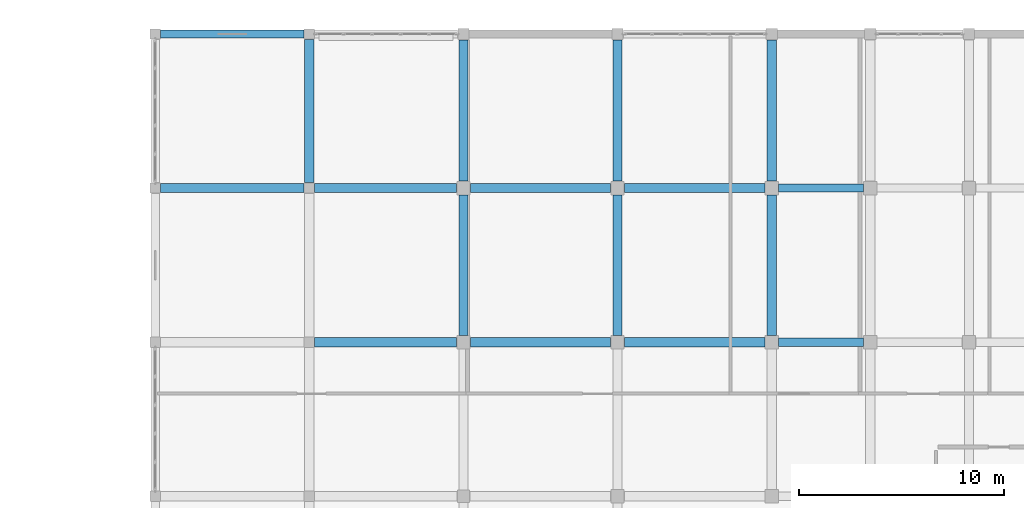
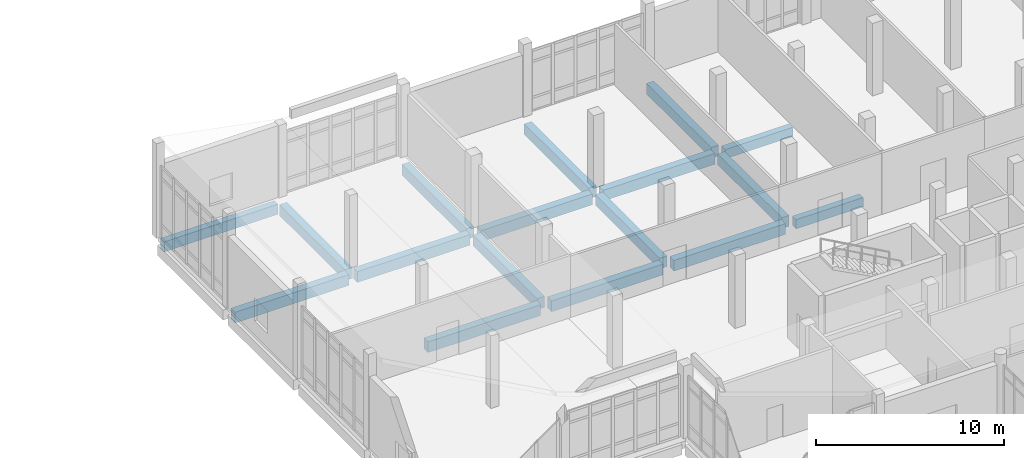
# One storey, part 71 of 173: 17 beams.
"""IFC4 building model written with IfcOpenShell, lengths in metres."""

from ifc_helpers import new_model, si_unit, direction, frame, origin, origin_2d, place, context, subcontext, project, spatial, rectangle, extrude, material, material_profile, profile_set, type_object, element, save


model = new_model("IFC4")

# Units and contexts
model_context = context("Model", 3, precision=1e-05, world=origin(), true_north=direction((0.0, 1.0)))
body_context = subcontext(model_context, "Body", "Model", "MODEL_VIEW")
ifc_project = project(units=[si_unit("LENGTHUNIT", "METRE"), si_unit("AREAUNIT", "SQUARE_METRE"), si_unit("VOLUMEUNIT", "CUBIC_METRE"), si_unit("PLANEANGLEUNIT", "RADIAN"), si_unit("MASSUNIT", "GRAM", prefix="KILO")], contexts=[model_context])

# Site, building, storey
site_placement = place(None, origin())
site = spatial("IfcSite", under=ifc_project, at=site_placement, CompositionType="ELEMENT")
building_placement = place(site_placement, origin())
building = spatial("IfcBuilding", under=site, at=building_placement, Name="Mawjan Specialist Oncology Clinic", CompositionType="ELEMENT")
storey_placement = place(building_placement, origin())
storey = spatial("IfcBuildingStorey", under=building, at=storey_placement, Name="L00", CompositionType="ELEMENT", Elevation=0.0)

# Beams
ifc_material_1 = material(Name="Concrete C40/50", Category="concrete")
ifc_material_profile_1 = material_profile(ifc_material_1, rectangle(XDim=0.39990234375, YDim=0.60009765625, at=origin_2d()), Name="RC BM 400x600", Category="concrete")
ifc_profile_set_1 = profile_set([ifc_material_profile_1], Name="Concrete C40/50")
beam_type_1 = type_object("IfcBeamType", Name="BM-400x600", PredefinedType="BEAM", material=ifc_profile_set_1)
for number, where, z_axis, x_axis, name in (
    (1, (60.3349609375, 98.300048828125, -0.719970703125), (1.0, 0.0, 0.0), (0.0, 1.0, 0.0), "L00 Collector Beam BM-L00-0066"),
    (2, (60.3349609375, 105.800048828125, -0.719970703125), (1.0, 0.0, 0.0), (0.0, 1.0, 0.0), "L00 Collector Beam BM-L00-0085"),
):
    element("IfcBeam", number, at=place(storey_placement, frame(where, z_axis=z_axis, x_axis=x_axis)), inside=storey, type_object=beam_type_1, Name=name, PredefinedType="BEAM", context=body_context, shape_type="SweptSolid", body=[
        extrude(rectangle(XDim=0.39990234375, YDim=0.60009765625, at=origin_2d()), origin(), (0.0, 0.0, 1.0), 4.130126953125),
    ])
ifc_material_2 = material(Name="Concrete C40/50", Category="concrete")
ifc_material_profile_2 = material_profile(ifc_material_2, rectangle(XDim=0.449951171875, YDim=0.699951171875, at=origin_2d()), Name="RC BM 450x700", Category="concrete")
ifc_profile_set_2 = profile_set([ifc_material_profile_2], Name="Concrete C40/50")
beam_type_2 = type_object("IfcBeamType", Name="BM-450x700", PredefinedType="BEAM", material=ifc_profile_set_2)
beam_1_placement = place(storey_placement, frame((37.760009765625, 98.300048828125, -0.77001953125), z_axis=(1.0, 0.0, 0.0), x_axis=(0.0, 1.0, 0.0)))
element("IfcBeam", 3, at=beam_1_placement, inside=storey, type_object=beam_type_2, Name="L00 Collector Beam BM-L00-0063", PredefinedType="BEAM", context=body_context, shape_type="SweptSolid", body=[
    extrude(rectangle(XDim=0.449951171875, YDim=0.699951171875, at=origin_2d()), origin(), (0.0, 0.0, 1.0), 6.905029296875),
])
for number, where, z_axis, x_axis, name in (
    (4, (45.3349609375, 98.300048828125, -0.77001953125), (1.0, 0.0, 0.0), (0.0, 1.0, 0.0), "L00 Collector Beam BM-L00-0064"),
    (5, (52.8349609375, 98.300048828125, -0.77001953125), (1.0, 0.0, 0.0), (0.0, 1.0, 0.0), "L00 Collector Beam BM-L00-0065"),
):
    element("IfcBeam", number, at=place(storey_placement, frame(where, z_axis=z_axis, x_axis=x_axis)), inside=storey, type_object=beam_type_2, Name=name, PredefinedType="BEAM", context=body_context, shape_type="SweptSolid", body=[
        extrude(rectangle(XDim=0.449951171875, YDim=0.699951171875, at=origin_2d()), origin(), (0.0, 0.0, 1.0), 6.830078125),
    ])
beam_2_placement = place(storey_placement, frame((30.260009765625, 105.800048828125, -0.77001953125), z_axis=(1.0, 0.0, 0.0), x_axis=(0.0, 1.0, 0.0)))
element("IfcBeam", 6, at=beam_2_placement, inside=storey, type_object=beam_type_2, Name="L00 Collector Beam BM-L00-0081", PredefinedType="BEAM", context=body_context, shape_type="SweptSolid", body=[
    extrude(rectangle(XDim=0.449951171875, YDim=0.699951171875, at=origin_2d()), origin(), (0.0, 0.0, 1.0), 6.97998046875),
])
beam_3_placement = place(storey_placement, frame((37.760009765625, 105.800048828125, -0.77001953125), z_axis=(1.0, 0.0, 0.0), x_axis=(0.0, 1.0, 0.0)))
element("IfcBeam", 7, at=beam_3_placement, inside=storey, type_object=beam_type_2, Name="L00 Collector Beam BM-L00-0082", PredefinedType="BEAM", context=body_context, shape_type="SweptSolid", body=[
    extrude(rectangle(XDim=0.449951171875, YDim=0.699951171875, at=origin_2d()), origin(), (0.0, 0.0, 1.0), 6.905029296875),
])
for number, where, z_axis, x_axis, name in (
    (8, (45.3349609375, 105.800048828125, -0.77001953125), (1.0, 0.0, 0.0), (0.0, 1.0, 0.0), "L00 Collector Beam BM-L00-0083"),
    (9, (52.8349609375, 105.800048828125, -0.77001953125), (1.0, 0.0, 0.0), (0.0, 1.0, 0.0), "L00 Collector Beam BM-L00-0084"),
):
    element("IfcBeam", number, at=place(storey_placement, frame(where, z_axis=z_axis, x_axis=x_axis)), inside=storey, type_object=beam_type_2, Name=name, PredefinedType="BEAM", context=body_context, shape_type="SweptSolid", body=[
        extrude(rectangle(XDim=0.449951171875, YDim=0.699951171875, at=origin_2d()), origin(), (0.0, 0.0, 1.0), 6.830078125),
    ])
beam_4_placement = place(storey_placement, frame((37.5, 106.06005859375, -0.77001953125), z_axis=(0.0, 1.0, 0.0), x_axis=(-1.0, 0.0, 0.0)))
element("IfcBeam", 10, at=beam_4_placement, inside=storey, type_object=beam_type_2, Name="L00 Collector Beam BM-L00-0121", PredefinedType="BEAM", context=body_context, shape_type="SweptSolid", body=[
    extrude(rectangle(XDim=0.449951171875, YDim=0.699951171875, at=origin_2d()), origin(), (0.0, 0.0, 1.0), 6.97998046875),
])
beam_5_placement = place(storey_placement, frame((45.0, 98.635009765625, -0.77001953125), z_axis=(0.0, 1.0, 0.0), x_axis=(-1.0, 0.0, 0.0)))
element("IfcBeam", 11, at=beam_5_placement, inside=storey, type_object=beam_type_2, Name="L00 Collector Beam BM-L00-0125", PredefinedType="BEAM", context=body_context, shape_type="SweptSolid", body=[
    extrude(rectangle(XDim=0.449951171875, YDim=0.699951171875, at=origin_2d()), origin(), (0.0, 0.0, 1.0), 6.830078125),
])
beam_6_placement = place(storey_placement, frame((45.0, 106.135009765625, -0.77001953125), z_axis=(0.0, 1.0, 0.0), x_axis=(-1.0, 0.0, 0.0)))
element("IfcBeam", 12, at=beam_6_placement, inside=storey, type_object=beam_type_2, Name="L00 Collector Beam BM-L00-0126", PredefinedType="BEAM", context=body_context, shape_type="SweptSolid", body=[
    extrude(rectangle(XDim=0.449951171875, YDim=0.699951171875, at=origin_2d()), origin(), (0.0, 0.0, 1.0), 6.8798828125),
])
beam_7_placement = place(storey_placement, frame((52.5, 98.635009765625, -0.77001953125), z_axis=(0.0, 1.0, 0.0), x_axis=(-1.0, 0.0, 0.0)))
element("IfcBeam", 13, at=beam_7_placement, inside=storey, type_object=beam_type_2, Name="L00 Collector Beam BM-L00-0130", PredefinedType="BEAM", context=body_context, shape_type="SweptSolid", body=[
    extrude(rectangle(XDim=0.449951171875, YDim=0.699951171875, at=origin_2d()), origin(), (0.0, 0.0, 1.0), 6.830078125),
])
beam_8_placement = place(storey_placement, frame((52.5, 106.135009765625, -0.77001953125), z_axis=(0.0, 1.0, 0.0), x_axis=(-1.0, 0.0, 0.0)))
element("IfcBeam", 14, at=beam_8_placement, inside=storey, type_object=beam_type_2, Name="L00 Collector Beam BM-L00-0131", PredefinedType="BEAM", context=body_context, shape_type="SweptSolid", body=[
    extrude(rectangle(XDim=0.449951171875, YDim=0.699951171875, at=origin_2d()), origin(), (0.0, 0.0, 1.0), 6.8798828125),
])
beam_9_placement = place(storey_placement, frame((60.0, 98.635009765625, -0.77001953125), z_axis=(0.0, 1.0, 0.0), x_axis=(-1.0, 0.0, 0.0)))
element("IfcBeam", 15, at=beam_9_placement, inside=storey, type_object=beam_type_2, Name="L00 Collector Beam BM-L00-0134", PredefinedType="BEAM", context=body_context, shape_type="SweptSolid", body=[
    extrude(rectangle(XDim=0.449951171875, YDim=0.699951171875, at=origin_2d()), origin(), (0.0, 0.0, 1.0), 6.830078125),
])
beam_10_placement = place(storey_placement, frame((60.0, 106.135009765625, -0.77001953125), z_axis=(0.0, 1.0, 0.0), x_axis=(-1.0, 0.0, 0.0)))
element("IfcBeam", 16, at=beam_10_placement, inside=storey, type_object=beam_type_2, Name="L00 Collector Beam BM-L00-0135", PredefinedType="BEAM", context=body_context, shape_type="SweptSolid", body=[
    extrude(rectangle(XDim=0.449951171875, YDim=0.699951171875, at=origin_2d()), origin(), (0.0, 0.0, 1.0), 6.8798828125),
])
ifc_material_3 = material(Name="Concrete C45/55", Category="concrete")
ifc_material_profile_3 = material_profile(ifc_material_3, rectangle(XDim=0.39990234375, YDim=0.64990234375, at=origin_2d()), Name="RC BM 400x650", Category="concrete")
ifc_profile_set_3 = profile_set([ifc_material_profile_3], Name="Concrete C45/55")
beam_type_3 = type_object("IfcBeamType", Name="SP-400x650", PredefinedType="SPANDREL", material=ifc_profile_set_3)
beam_11_placement = place(storey_placement, frame((30.260009765625, 113.300048828125, -0.7451171875), z_axis=(1.0, 0.0, 0.0), x_axis=(0.0, 1.0, 0.0)))
element("IfcBeam", 17, at=beam_11_placement, inside=storey, type_object=beam_type_3, Name="L00 Spandrel Beam BM-L00-0100", PredefinedType="SPANDREL", context=body_context, shape_type="SweptSolid", body=[
    extrude(rectangle(XDim=0.39990234375, YDim=0.64990234375, at=origin_2d()), origin(), (0.0, 0.0, 1.0), 6.97998046875),
])

save(model, "model.ifc")
